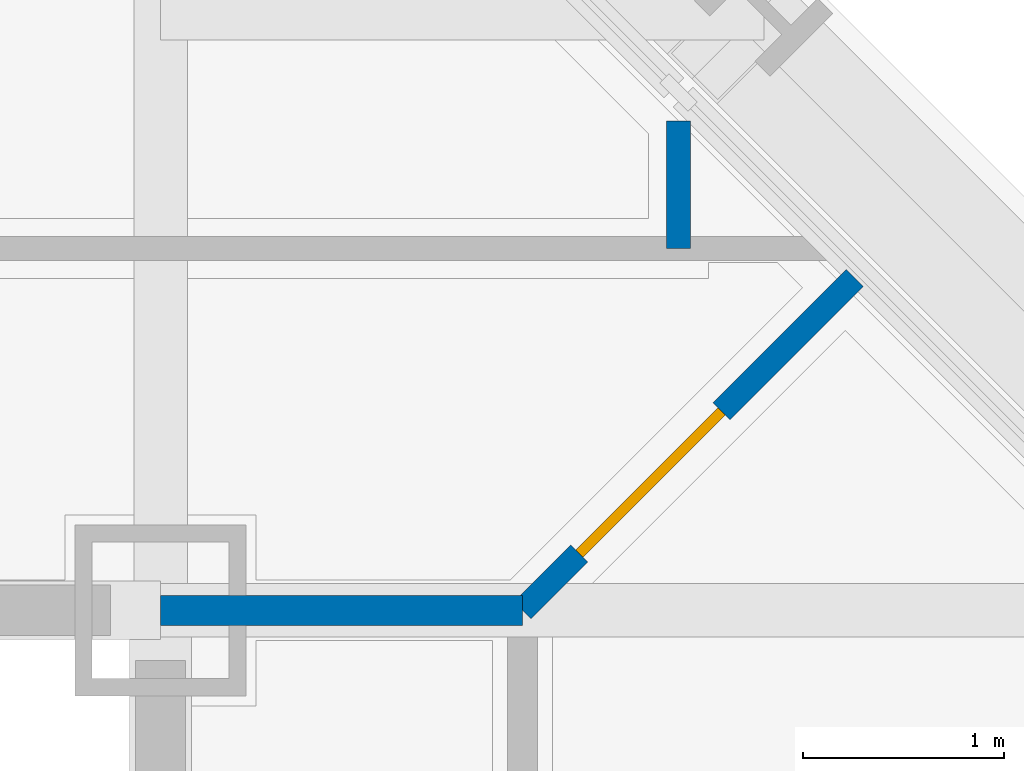
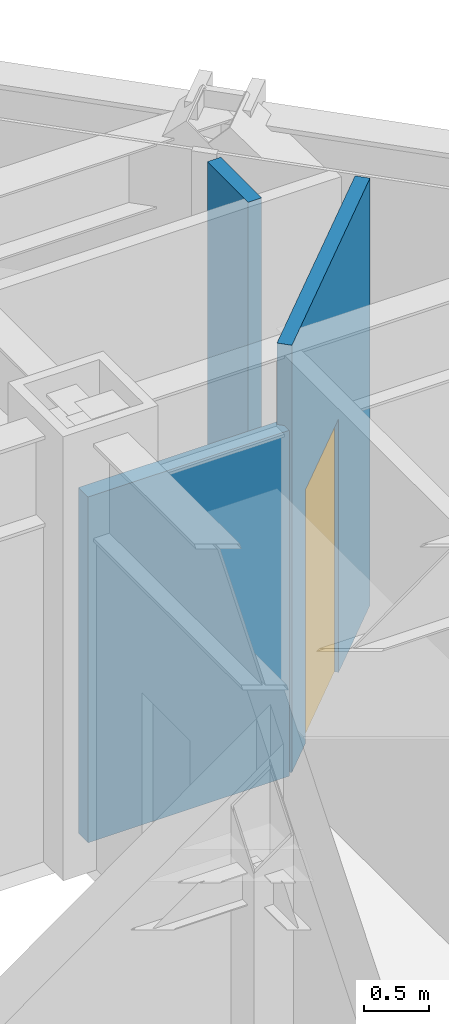
# One storey, part 13 of 17: 3 walls, 1 door, 1 opening.
"""IFC4 building model written with IfcOpenShell, lengths in metres."""

from ifc_helpers import new_model, si_unit, direction, frame, frame_2d, origin, place, context, subcontext, project, spatial, rectangle, extrude, material, layer, layer_set, type_object, element, fill, save


model = new_model("IFC4")

# Units and contexts
model_context = context("Model", 3, precision=1e-05, world=origin(), true_north=direction((0.0, 1.0)))
body_context = subcontext(model_context, "Body", "Model", "MODEL_VIEW")
ifc_project = project(units=[si_unit("LENGTHUNIT", "METRE"), si_unit("AREAUNIT", "SQUARE_METRE"), si_unit("VOLUMEUNIT", "CUBIC_METRE"), si_unit("PLANEANGLEUNIT", "RADIAN"), si_unit("MASSUNIT", "GRAM", prefix="KILO")], contexts=[model_context])

# Site, building, storey
site_placement = place(None, origin())
site = spatial("IfcSite", under=ifc_project, at=site_placement, CompositionType="ELEMENT")
building_placement = place(site_placement, origin())
building = spatial("IfcBuilding", under=site, at=building_placement, Name="Chuquiago Exchange Tower", CompositionType="ELEMENT")
storey_placement = place(building_placement, frame((0.0, 0.0, 132.0)))
storey = spatial("IfcBuildingStorey", under=building, at=storey_placement, Name="L28", CompositionType="ELEMENT", Elevation=132.0)

# Walls
ifc_material_1 = material(Name="Gypsum board on steel studs, acoustic insulation", Category="steel")
ifc_layer_1 = layer(ifc_material_1, 0.14990234375)
ifc_layer_set_1 = layer_set([ifc_layer_1], Name="W11 corridor wall 150")
wall_type_1 = type_object("IfcWallType", Name="W11 corridor wall 150", PredefinedType="PARTITIONING", material=ifc_layer_set_1)
wall_1_placement = place(storey_placement, frame((33.0, 33.0, 0.0), z_axis=(0.0, 0.0, 1.0), x_axis=(1.0, 0.0, 0.0)))
element("IfcWall", 1, at=wall_1_placement, inside=storey, type_object=wall_type_1, Name="PW-L28-GEN0", PredefinedType="PARTITIONING", context=body_context, shape_type="SweptSolid", body=[
    extrude(rectangle(XDim=1.800048828125, YDim=0.14990234375, at=frame_2d((0.89990234375, 0.0))), origin(), (0.0, 0.0, 1.0), 3.2705078125),
])
ifc_material_2 = material(Name="Gypsum board on steel studs", Category="steel")
ifc_layer_2 = layer(ifc_material_2, 0.1201171875)
ifc_layer_set_2 = layer_set([ifc_layer_2], Name="W4 partition 120")
wall_type_2 = type_object("IfcWallType", Name="W4 partition 120", PredefinedType="PARTITIONING", material=ifc_layer_set_2)
wall_2_placement = place(storey_placement, frame((35.57568359375, 35.434326171875, 0.0), z_axis=(0.0, 0.0, 1.0), x_axis=(0.0, -1.0, 0.0)))
element("IfcWall", 2, at=wall_2_placement, inside=storey, type_object=wall_type_2, Name="PW-L28-N03558", PredefinedType="PARTITIONING", context=body_context, shape_type="SweptSolid", body=[
    extrude(rectangle(XDim=0.63427734375, YDim=0.1201171875, at=frame_2d((0.317138671875, 0.0))), origin(), (0.0, 0.0, 1.0), 4.0400390625),
])

# Wall, opening, door
wall_3_placement = place(storey_placement, frame((34.800048828125, 33.0, 0.0), z_axis=(0.0, 0.0, 1.0), x_axis=(0.707106781187, 0.707106781187, 0.0)))
wall_3 = element("IfcWall", 3, at=wall_3_placement, inside=storey, type_object=wall_type_2, Name="PW-L28-QNE", PredefinedType="PARTITIONING", context=body_context, shape_type="SweptSolid", body=[
    extrude(rectangle(XDim=2.337890625, YDim=0.1201171875, at=frame_2d((1.1689453125, 0.0))), origin(), (0.0, 0.0, 1.0), 4.0400390625),
])
opening_placement = place(wall_3_placement, frame((0.39990234375, 0.0, 0.0)))
opening = element("IfcOpeningElement", 4, at=opening_placement, cuts=wall_3, Name="Opening L28-049", PredefinedType="OPENING", context=body_context, shape_type="SweptSolid", body=[
    extrude(rectangle(XDim=1.0, YDim=2.39990234375, at=frame_2d((0.5, 1.199951171875))), frame((0.0, 0.070068359375, 0.0), z_axis=(0.0, -1.0, 0.0), x_axis=(1.0, 0.0, 0.0)), (0.0, 0.0, 1.0), 0.14013671875),
])
ifc_material_3 = material(Name="Timber door, laminate faced", Category="wood")
door_type = type_object("IfcDoorType", Name="D9 room door 1000x2400", OperationType="SINGLE_SWING_LEFT", PredefinedType="DOOR", material=ifc_material_3)
door_placement = place(opening_placement, origin())
door = element("IfcDoor", 5, at=door_placement, inside=storey, type_object=door_type, Name="Team area door", OperationType="SINGLE_SWING_LEFT", OverallHeight=2.39990234375, OverallWidth=1.0, PredefinedType="DOOR", context=body_context, shape_type="SweptSolid", body=[
    extrude(rectangle(XDim=1.0, YDim=2.39990234375, at=frame_2d((0.5, 1.199951171875))), frame((0.0, 0.02490234375, 0.0), z_axis=(0.0, -1.0, 0.0), x_axis=(1.0, 0.0, 0.0)), (0.0, 0.0, 1.0), 0.050048828125),
])
fill(opening, door)

save(model, "model.ifc")
